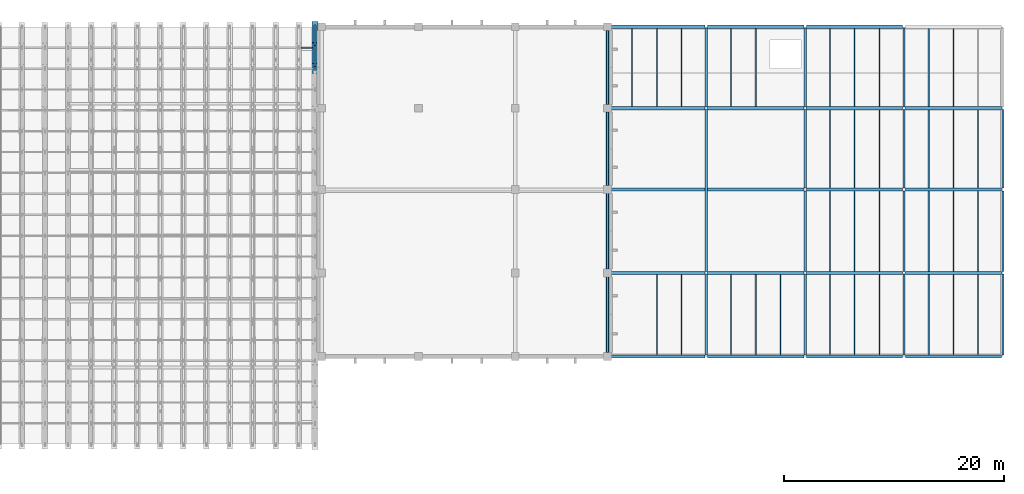
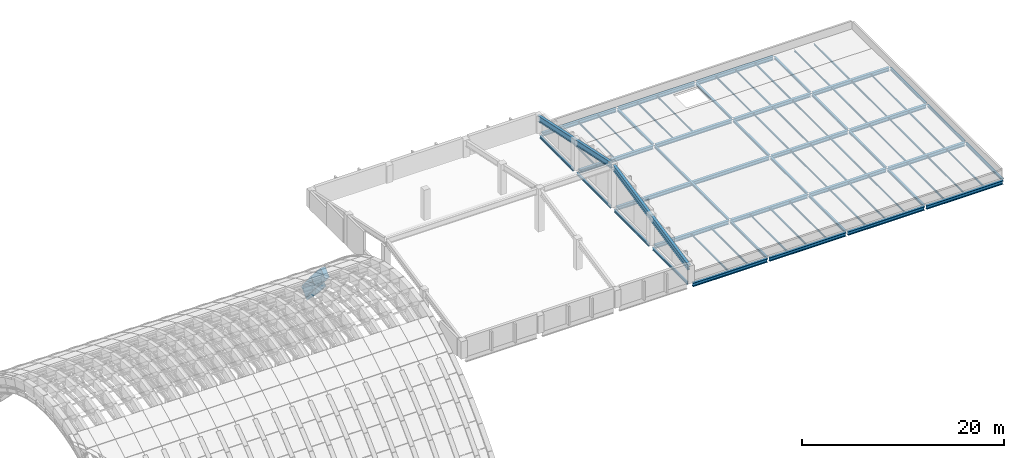
# One storey, part 49 of 67: 75 beams, 1 member.
"""IFC4 building model written with IfcOpenShell, lengths in metres."""

from ifc_helpers import new_model, si_unit, direction, frame, origin, origin_2d, place, context, subcontext, project, spatial, rectangle, hollow_rectangle, i_section, extrude, material, material_profile, profile_set, type_object, element, save


model = new_model("IFC4")

# Units and contexts
model_context = context("Model", 3, precision=1e-05, world=origin(), true_north=direction((0.0, 1.0)))
body_context = subcontext(model_context, "Body", "Model", "MODEL_VIEW")
ifc_project = project(units=[si_unit("LENGTHUNIT", "METRE"), si_unit("AREAUNIT", "SQUARE_METRE"), si_unit("VOLUMEUNIT", "CUBIC_METRE"), si_unit("PLANEANGLEUNIT", "RADIAN"), si_unit("MASSUNIT", "GRAM", prefix="KILO")], contexts=[model_context])

# Site, building, storey
site_placement = place(None, origin())
site = spatial("IfcSite", under=ifc_project, at=site_placement, CompositionType="ELEMENT")
building_placement = place(site_placement, origin())
building = spatial("IfcBuilding", under=site, at=building_placement, Name="Shengluoqiao Park Theatre", CompositionType="ELEMENT")
storey_placement = place(building_placement, frame((0.0, 0.0, 28.60009765625)))
storey = spatial("IfcBuildingStorey", under=building, at=storey_placement, Name="Roof", CompositionType="ELEMENT", Elevation=28.60009765625)

# Beams
ifc_material_1 = material(Name="Concrete C50", Category="concrete")
ifc_material_profile_1 = material_profile(ifc_material_1, rectangle(XDim=0.550048828125, YDim=1.199951171875, at=origin_2d()), Name="RC ARCH 550x1200")
ifc_profile_set_1 = profile_set([ifc_material_profile_1], Name="Concrete C50")
beam_type_1 = type_object("IfcBeamType", Name="STR-BM-AR-5512", PredefinedType="BEAM", material=ifc_profile_set_1)
beam_1_placement = place(storey_placement, frame((85.780029296875, 110.199951171875, -5.484130859375), z_axis=(0.0, 0.663638456789, -0.748053473136), x_axis=(-1.0, 0.0, 0.0)))
element("IfcBeam", 1, at=beam_1_placement, inside=storey, type_object=beam_type_1, Name="Barrel-Shell Arch Rib R21-S19", PredefinedType="BEAM", context=body_context, shape_type="SweptSolid", body=[
    extrude(rectangle(XDim=0.550048828125, YDim=1.199951171875, at=origin_2d()), origin(), (0.0, 0.0, 1.0), 2.86328125),
])
beam_2_placement = place(storey_placement, frame((85.780029296875, 112.10009765625, -7.6259765625), z_axis=(0.0, 0.621631409309, -0.783309894588), x_axis=(-1.0, 0.0, 0.0)))
element("IfcBeam", 2, at=beam_2_placement, inside=storey, type_object=beam_type_1, Name="Barrel-Shell Arch Rib R21-S20", PredefinedType="BEAM", context=body_context, shape_type="SweptSolid", body=[
    extrude(rectangle(XDim=0.550048828125, YDim=1.199951171875, at=origin_2d()), origin(), (0.0, 0.0, 1.0), 3.056396484375),
])
ifc_material_2 = material(Name="Steel Q355", Category="steel")
ifc_material_profile_2 = material_profile(ifc_material_2, i_section(OverallWidth=0.199951171875, OverallDepth=0.2939453125, WebThickness=0.008056640625, FlangeThickness=0.011962890625, FilletRadius=0.01611328125, at=origin_2d()), Name="HM 294x200x8x12")
ifc_profile_set_2 = profile_set([ifc_material_profile_2], Name="Steel Q355")
beam_type_2 = type_object("IfcBeamType", Name="STR-BM-G-HM294", PredefinedType="BEAM", material=ifc_profile_set_2)
beam_3_placement = place(storey_placement, frame((112.39990234375, 84.343994140625, -0.397216796875), z_axis=(0.0, 1.0, 0.0), x_axis=(-1.0, 0.0, 0.0)))
element("IfcBeam", 3, at=beam_3_placement, inside=storey, type_object=beam_type_2, Name="Roof Transverse Girder 02061", PredefinedType="BEAM", context=body_context, shape_type="SweptSolid", body=[
    extrude(i_section(OverallWidth=0.199951171875, OverallDepth=0.2939453125, WebThickness=0.008056640625, FlangeThickness=0.011962890625, FilletRadius=0.01611328125, at=origin_2d()), origin(), (0.0, 0.0, 1.0), 6.912109375),
])
beam_4_placement = place(storey_placement, frame((112.39990234375, 91.944091796875, -0.397216796875), z_axis=(0.0, 1.0, 0.0), x_axis=(-1.0, 0.0, 0.0)))
element("IfcBeam", 4, at=beam_4_placement, inside=storey, type_object=beam_type_2, Name="Roof Transverse Girder 02062", PredefinedType="BEAM", context=body_context, shape_type="SweptSolid", body=[
    extrude(i_section(OverallWidth=0.199951171875, OverallDepth=0.2939453125, WebThickness=0.008056640625, FlangeThickness=0.011962890625, FilletRadius=0.01611328125, at=origin_2d()), origin(), (0.0, 0.0, 1.0), 6.911865234375),
])
beam_5_placement = place(storey_placement, frame((112.39990234375, 99.5439453125, -0.397216796875), z_axis=(0.0, 1.0, 0.0), x_axis=(-1.0, 0.0, 0.0)))
element("IfcBeam", 5, at=beam_5_placement, inside=storey, type_object=beam_type_2, Name="Roof Transverse Girder 02063", PredefinedType="BEAM", context=body_context, shape_type="SweptSolid", body=[
    extrude(i_section(OverallWidth=0.199951171875, OverallDepth=0.2939453125, WebThickness=0.008056640625, FlangeThickness=0.011962890625, FilletRadius=0.01611328125, at=origin_2d()), origin(), (0.0, 0.0, 1.0), 6.712158203125),
])
beam_6_placement = place(storey_placement, frame((112.39990234375, 106.944091796875, -0.397216796875), z_axis=(0.0, 1.0, 0.0), x_axis=(-1.0, 0.0, 0.0)))
element("IfcBeam", 6, at=beam_6_placement, inside=storey, type_object=beam_type_2, Name="Roof Transverse Girder 02064", PredefinedType="BEAM", context=body_context, shape_type="SweptSolid", body=[
    extrude(i_section(OverallWidth=0.199951171875, OverallDepth=0.2939453125, WebThickness=0.008056640625, FlangeThickness=0.011962890625, FilletRadius=0.01611328125, at=origin_2d()), origin(), (0.0, 0.0, 1.0), 6.7119140625),
])
beam_7_placement = place(storey_placement, frame((121.39990234375, 84.118896484375, -0.397216796875), z_axis=(0.0, 1.0, 0.0), x_axis=(-1.0, 0.0, 0.0)))
element("IfcBeam", 7, at=beam_7_placement, inside=storey, type_object=beam_type_2, Name="Roof Transverse Girder 02065", PredefinedType="BEAM", context=body_context, shape_type="SweptSolid", body=[
    extrude(i_section(OverallWidth=0.199951171875, OverallDepth=0.2939453125, WebThickness=0.008056640625, FlangeThickness=0.011962890625, FilletRadius=0.01611328125, at=origin_2d()), origin(), (0.0, 0.0, 1.0), 7.362060546875),
])
beam_8_placement = place(storey_placement, frame((121.39990234375, 91.718994140625, -0.397216796875), z_axis=(0.0, 1.0, 0.0), x_axis=(-1.0, 0.0, 0.0)))
element("IfcBeam", 8, at=beam_8_placement, inside=storey, type_object=beam_type_2, Name="Roof Transverse Girder 02066", PredefinedType="BEAM", context=body_context, shape_type="SweptSolid", body=[
    extrude(i_section(OverallWidth=0.199951171875, OverallDepth=0.2939453125, WebThickness=0.008056640625, FlangeThickness=0.011962890625, FilletRadius=0.01611328125, at=origin_2d()), origin(), (0.0, 0.0, 1.0), 14.761962890625),
])
beam_9_placement = place(storey_placement, frame((121.39990234375, 106.718994140625, -0.397216796875), z_axis=(0.0, 1.0, 0.0), x_axis=(-1.0, 0.0, 0.0)))
element("IfcBeam", 9, at=beam_9_placement, inside=storey, type_object=beam_type_2, Name="Roof Transverse Girder 02067", PredefinedType="BEAM", context=body_context, shape_type="SweptSolid", body=[
    extrude(i_section(OverallWidth=0.199951171875, OverallDepth=0.2939453125, WebThickness=0.008056640625, FlangeThickness=0.011962890625, FilletRadius=0.01611328125, at=origin_2d()), origin(), (0.0, 0.0, 1.0), 7.162109375),
])
for number, where, z_axis, x_axis, name in (
    (10, (130.39990234375, 84.118896484375, -0.397216796875), (0.0, 1.0, 0.0), (-1.0, 0.0, 0.0), "Roof Transverse Girder 02068"),
    (11, (130.39990234375, 91.718994140625, -0.397216796875), (0.0, 1.0, 0.0), (-1.0, 0.0, 0.0), "Roof Transverse Girder 02069"),
):
    element("IfcBeam", number, at=place(storey_placement, frame(where, z_axis=z_axis, x_axis=x_axis)), inside=storey, type_object=beam_type_2, Name=name, PredefinedType="BEAM", context=body_context, shape_type="SweptSolid", body=[
        extrude(i_section(OverallWidth=0.199951171875, OverallDepth=0.2939453125, WebThickness=0.008056640625, FlangeThickness=0.011962890625, FilletRadius=0.01611328125, at=origin_2d()), origin(), (0.0, 0.0, 1.0), 7.362060546875),
    ])
beam_10_placement = place(storey_placement, frame((130.39990234375, 99.319091796875, -0.397216796875), z_axis=(0.0, 1.0, 0.0), x_axis=(-1.0, 0.0, 0.0)))
element("IfcBeam", 12, at=beam_10_placement, inside=storey, type_object=beam_type_2, Name="Roof Transverse Girder 02070", PredefinedType="BEAM", context=body_context, shape_type="SweptSolid", body=[
    extrude(i_section(OverallWidth=0.199951171875, OverallDepth=0.2939453125, WebThickness=0.008056640625, FlangeThickness=0.011962890625, FilletRadius=0.01611328125, at=origin_2d()), origin(), (0.0, 0.0, 1.0), 7.161865234375),
])
beam_11_placement = place(storey_placement, frame((130.39990234375, 106.718994140625, -0.397216796875), z_axis=(0.0, 1.0, 0.0), x_axis=(-1.0, 0.0, 0.0)))
element("IfcBeam", 13, at=beam_11_placement, inside=storey, type_object=beam_type_2, Name="Roof Transverse Girder 02071", PredefinedType="BEAM", context=body_context, shape_type="SweptSolid", body=[
    extrude(i_section(OverallWidth=0.199951171875, OverallDepth=0.2939453125, WebThickness=0.008056640625, FlangeThickness=0.011962890625, FilletRadius=0.01611328125, at=origin_2d()), origin(), (0.0, 0.0, 1.0), 7.162109375),
])
for number, where, z_axis, x_axis, name in (
    (14, (139.39990234375, 84.118896484375, -0.397216796875), (0.0, 1.0, 0.0), (-1.0, 0.0, 0.0), "Roof Transverse Girder 02072"),
    (15, (139.39990234375, 91.718994140625, -0.397216796875), (0.0, 1.0, 0.0), (-1.0, 0.0, 0.0), "Roof Transverse Girder 02073"),
):
    element("IfcBeam", number, at=place(storey_placement, frame(where, z_axis=z_axis, x_axis=x_axis)), inside=storey, type_object=beam_type_2, Name=name, PredefinedType="BEAM", context=body_context, shape_type="SweptSolid", body=[
        extrude(i_section(OverallWidth=0.199951171875, OverallDepth=0.2939453125, WebThickness=0.008056640625, FlangeThickness=0.011962890625, FilletRadius=0.01611328125, at=origin_2d()), origin(), (0.0, 0.0, 1.0), 7.362060546875),
    ])
beam_12_placement = place(storey_placement, frame((139.39990234375, 99.319091796875, -0.397216796875), z_axis=(0.0, 1.0, 0.0), x_axis=(-1.0, 0.0, 0.0)))
element("IfcBeam", 16, at=beam_12_placement, inside=storey, type_object=beam_type_2, Name="Roof Transverse Girder 02074", PredefinedType="BEAM", context=body_context, shape_type="SweptSolid", body=[
    extrude(i_section(OverallWidth=0.199951171875, OverallDepth=0.2939453125, WebThickness=0.008056640625, FlangeThickness=0.011962890625, FilletRadius=0.01611328125, at=origin_2d()), origin(), (0.0, 0.0, 1.0), 7.161865234375),
])
beam_13_placement = place(storey_placement, frame((139.39990234375, 106.718994140625, -0.397216796875), z_axis=(0.0, 1.0, 0.0), x_axis=(-1.0, 0.0, 0.0)))
element("IfcBeam", 17, at=beam_13_placement, inside=storey, type_object=beam_type_2, Name="Roof Transverse Girder 02075", PredefinedType="BEAM", context=body_context, shape_type="SweptSolid", body=[
    extrude(i_section(OverallWidth=0.199951171875, OverallDepth=0.2939453125, WebThickness=0.008056640625, FlangeThickness=0.011962890625, FilletRadius=0.01611328125, at=origin_2d()), origin(), (0.0, 0.0, 1.0), 7.162109375),
])
for number, where, z_axis, x_axis, name in (
    (18, (148.39990234375, 84.118896484375, -0.397216796875), (0.0, 1.0, 0.0), (-1.0, 0.0, 0.0), "Roof Transverse Girder 02076"),
    (19, (148.39990234375, 91.718994140625, -0.397216796875), (0.0, 1.0, 0.0), (-1.0, 0.0, 0.0), "Roof Transverse Girder 02077"),
):
    element("IfcBeam", number, at=place(storey_placement, frame(where, z_axis=z_axis, x_axis=x_axis)), inside=storey, type_object=beam_type_2, Name=name, PredefinedType="BEAM", context=body_context, shape_type="SweptSolid", body=[
        extrude(i_section(OverallWidth=0.199951171875, OverallDepth=0.2939453125, WebThickness=0.008056640625, FlangeThickness=0.011962890625, FilletRadius=0.01611328125, at=origin_2d()), origin(), (0.0, 0.0, 1.0), 7.362060546875),
    ])
beam_14_placement = place(storey_placement, frame((148.39990234375, 99.319091796875, -0.397216796875), z_axis=(0.0, 1.0, 0.0), x_axis=(-1.0, 0.0, 0.0)))
element("IfcBeam", 20, at=beam_14_placement, inside=storey, type_object=beam_type_2, Name="Roof Transverse Girder 02078", PredefinedType="BEAM", context=body_context, shape_type="SweptSolid", body=[
    extrude(i_section(OverallWidth=0.199951171875, OverallDepth=0.2939453125, WebThickness=0.008056640625, FlangeThickness=0.011962890625, FilletRadius=0.01611328125, at=origin_2d()), origin(), (0.0, 0.0, 1.0), 7.161865234375),
])
ifc_material_profile_3 = material_profile(ifc_material_2, i_section(OverallWidth=0.300048828125, OverallDepth=0.43994140625, WebThickness=0.010986328125, FlangeThickness=0.01806640625, FilletRadius=0.02001953125, at=origin_2d()), Name="HM 440x300x11x18")
ifc_profile_set_3 = profile_set([ifc_material_profile_3], Name="Steel Q355")
beam_type_3 = type_object("IfcBeamType", Name="STR-BM-G-HM440", PredefinedType="BEAM", material=ifc_profile_set_3)
beam_15_placement = place(storey_placement, frame((112.743896484375, 84.0, -0.47021484375), z_axis=(1.0, 0.0, 0.0), x_axis=(0.0, 1.0, 0.0)))
element("IfcBeam", 21, at=beam_15_placement, inside=storey, type_object=beam_type_3, Name="Roof Primary Girder 02042", PredefinedType="BEAM", context=body_context, shape_type="SweptSolid", body=[
    extrude(i_section(OverallWidth=0.300048828125, OverallDepth=0.43994140625, WebThickness=0.010986328125, FlangeThickness=0.01806640625, FilletRadius=0.02001953125, at=origin_2d()), origin(), (0.0, 0.0, 1.0), 8.537109375),
])
for number, where, z_axis, x_axis, name in (
    (22, (121.51904296875, 84.0, -0.47021484375), (1.0, 0.0, 0.0), (0.0, 1.0, 0.0), "Roof Primary Girder 02043"),
    (23, (130.51904296875, 84.0, -0.47021484375), (1.0, 0.0, 0.0), (0.0, 1.0, 0.0), "Roof Primary Girder 02044"),
    (24, (139.51904296875, 84.0, -0.47021484375), (1.0, 0.0, 0.0), (0.0, 1.0, 0.0), "Roof Primary Girder 02045"),
):
    element("IfcBeam", number, at=place(storey_placement, frame(where, z_axis=z_axis, x_axis=x_axis)), inside=storey, type_object=beam_type_3, Name=name, PredefinedType="BEAM", context=body_context, shape_type="SweptSolid", body=[
        extrude(i_section(OverallWidth=0.300048828125, OverallDepth=0.43994140625, WebThickness=0.010986328125, FlangeThickness=0.01806640625, FilletRadius=0.02001953125, at=origin_2d()), origin(), (0.0, 0.0, 1.0), 8.761962890625),
    ])
beam_16_placement = place(storey_placement, frame((112.743896484375, 91.60009765625, -0.47021484375), z_axis=(1.0, 0.0, 0.0), x_axis=(0.0, 1.0, 0.0)))
element("IfcBeam", 25, at=beam_16_placement, inside=storey, type_object=beam_type_3, Name="Roof Primary Girder 02046", PredefinedType="BEAM", context=body_context, shape_type="SweptSolid", body=[
    extrude(i_section(OverallWidth=0.300048828125, OverallDepth=0.43994140625, WebThickness=0.010986328125, FlangeThickness=0.01806640625, FilletRadius=0.02001953125, at=origin_2d()), origin(), (0.0, 0.0, 1.0), 8.537109375),
])
for number, where, z_axis, x_axis, name in (
    (26, (121.51904296875, 91.60009765625, -0.47021484375), (1.0, 0.0, 0.0), (0.0, 1.0, 0.0), "Roof Primary Girder 02047"),
    (27, (130.51904296875, 91.60009765625, -0.47021484375), (1.0, 0.0, 0.0), (0.0, 1.0, 0.0), "Roof Primary Girder 02048"),
    (28, (139.51904296875, 91.60009765625, -0.47021484375), (1.0, 0.0, 0.0), (0.0, 1.0, 0.0), "Roof Primary Girder 02049"),
):
    element("IfcBeam", number, at=place(storey_placement, frame(where, z_axis=z_axis, x_axis=x_axis)), inside=storey, type_object=beam_type_3, Name=name, PredefinedType="BEAM", context=body_context, shape_type="SweptSolid", body=[
        extrude(i_section(OverallWidth=0.300048828125, OverallDepth=0.43994140625, WebThickness=0.010986328125, FlangeThickness=0.01806640625, FilletRadius=0.02001953125, at=origin_2d()), origin(), (0.0, 0.0, 1.0), 8.761962890625),
    ])
beam_17_placement = place(storey_placement, frame((112.743896484375, 99.199951171875, -0.47021484375), z_axis=(1.0, 0.0, 0.0), x_axis=(0.0, 1.0, 0.0)))
element("IfcBeam", 29, at=beam_17_placement, inside=storey, type_object=beam_type_3, Name="Roof Primary Girder 02050", PredefinedType="BEAM", context=body_context, shape_type="SweptSolid", body=[
    extrude(i_section(OverallWidth=0.300048828125, OverallDepth=0.43994140625, WebThickness=0.010986328125, FlangeThickness=0.01806640625, FilletRadius=0.02001953125, at=origin_2d()), origin(), (0.0, 0.0, 1.0), 17.537109375),
])
for number, where, z_axis, x_axis, name in (
    (30, (130.51904296875, 99.199951171875, -0.47021484375), (1.0, 0.0, 0.0), (0.0, 1.0, 0.0), "Roof Primary Girder 02051"),
    (31, (139.51904296875, 99.199951171875, -0.47021484375), (1.0, 0.0, 0.0), (0.0, 1.0, 0.0), "Roof Primary Girder 02052"),
):
    element("IfcBeam", number, at=place(storey_placement, frame(where, z_axis=z_axis, x_axis=x_axis)), inside=storey, type_object=beam_type_3, Name=name, PredefinedType="BEAM", context=body_context, shape_type="SweptSolid", body=[
        extrude(i_section(OverallWidth=0.300048828125, OverallDepth=0.43994140625, WebThickness=0.010986328125, FlangeThickness=0.01806640625, FilletRadius=0.02001953125, at=origin_2d()), origin(), (0.0, 0.0, 1.0), 8.761962890625),
    ])
beam_18_placement = place(storey_placement, frame((112.743896484375, 106.60009765625, -0.47021484375), z_axis=(1.0, 0.0, 0.0), x_axis=(0.0, 1.0, 0.0)))
element("IfcBeam", 32, at=beam_18_placement, inside=storey, type_object=beam_type_3, Name="Roof Primary Girder 02053", PredefinedType="BEAM", context=body_context, shape_type="SweptSolid", body=[
    extrude(i_section(OverallWidth=0.300048828125, OverallDepth=0.43994140625, WebThickness=0.010986328125, FlangeThickness=0.01806640625, FilletRadius=0.02001953125, at=origin_2d()), origin(), (0.0, 0.0, 1.0), 8.537109375),
])
for number, where, z_axis, x_axis, name in (
    (33, (121.51904296875, 106.60009765625, -0.47021484375), (1.0, 0.0, 0.0), (0.0, 1.0, 0.0), "Roof Primary Girder 02054"),
    (34, (130.51904296875, 106.60009765625, -0.47021484375), (1.0, 0.0, 0.0), (0.0, 1.0, 0.0), "Roof Primary Girder 02055"),
    (35, (139.51904296875, 106.60009765625, -0.47021484375), (1.0, 0.0, 0.0), (0.0, 1.0, 0.0), "Roof Primary Girder 02056"),
):
    element("IfcBeam", number, at=place(storey_placement, frame(where, z_axis=z_axis, x_axis=x_axis)), inside=storey, type_object=beam_type_3, Name=name, PredefinedType="BEAM", context=body_context, shape_type="SweptSolid", body=[
        extrude(i_section(OverallWidth=0.300048828125, OverallDepth=0.43994140625, WebThickness=0.010986328125, FlangeThickness=0.01806640625, FilletRadius=0.02001953125, at=origin_2d()), origin(), (0.0, 0.0, 1.0), 8.761962890625),
    ])
beam_19_placement = place(storey_placement, frame((112.743896484375, 114.0, -0.47021484375), z_axis=(1.0, 0.0, 0.0), x_axis=(0.0, 1.0, 0.0)))
element("IfcBeam", 36, at=beam_19_placement, inside=storey, type_object=beam_type_3, Name="Roof Primary Girder 02057", PredefinedType="BEAM", context=body_context, shape_type="SweptSolid", body=[
    extrude(i_section(OverallWidth=0.300048828125, OverallDepth=0.43994140625, WebThickness=0.010986328125, FlangeThickness=0.01806640625, FilletRadius=0.02001953125, at=origin_2d()), origin(), (0.0, 0.0, 1.0), 8.537109375),
])
for number, where, z_axis, x_axis, name in (
    (37, (121.51904296875, 114.0, -0.47021484375), (1.0, 0.0, 0.0), (0.0, 1.0, 0.0), "Roof Primary Girder 02058"),
    (38, (130.51904296875, 114.0, -0.47021484375), (1.0, 0.0, 0.0), (0.0, 1.0, 0.0), "Roof Primary Girder 02059"),
):
    element("IfcBeam", number, at=place(storey_placement, frame(where, z_axis=z_axis, x_axis=x_axis)), inside=storey, type_object=beam_type_3, Name=name, PredefinedType="BEAM", context=body_context, shape_type="SweptSolid", body=[
        extrude(i_section(OverallWidth=0.300048828125, OverallDepth=0.43994140625, WebThickness=0.010986328125, FlangeThickness=0.01806640625, FilletRadius=0.02001953125, at=origin_2d()), origin(), (0.0, 0.0, 1.0), 8.761962890625),
    ])
ifc_material_3 = material(Name="Steel Q390", Category="steel")
ifc_material_profile_4 = material_profile(ifc_material_3, i_section(OverallWidth=0.300048828125, OverallDepth=0.699951171875, WebThickness=0.012939453125, FlangeThickness=0.02392578125, FilletRadius=0.02392578125, at=origin_2d()), Name="HN 700x300x13x24")
ifc_profile_set_4 = profile_set([ifc_material_profile_4], Name="Steel Q390")
beam_type_4 = type_object("IfcBeamType", Name="STR-BM-G-HN700", PredefinedType="BEAM", material=ifc_profile_set_4)
beam_20_placement = place(storey_placement, frame((112.39990234375, 84.050048828125, 1.679931640625), z_axis=(0.0, 0.979047182898, 0.203633527836), x_axis=(-1.0, 0.0, 0.0)))
element("IfcBeam", 39, at=beam_20_placement, inside=storey, type_object=beam_type_4, Name="Fly Tower South Roof Rafter X112", PredefinedType="BEAM", context=body_context, shape_type="SweptSolid", body=[
    extrude(i_section(OverallWidth=0.300048828125, OverallDepth=0.699951171875, WebThickness=0.012939453125, FlangeThickness=0.02392578125, FilletRadius=0.02392578125, at=origin_2d()), origin(), (0.0, 0.0, 1.0), 15.321044921875),
])
beam_21_placement = place(storey_placement, frame((112.39990234375, 99.35009765625, 4.7998046875), z_axis=(0.0, 0.977921194151, -0.20897401281), x_axis=(-1.0, 0.0, 0.0)))
element("IfcBeam", 40, at=beam_21_placement, inside=storey, type_object=beam_type_4, Name="Fly Tower North Roof Rafter X112", PredefinedType="BEAM", context=body_context, shape_type="SweptSolid", body=[
    extrude(i_section(OverallWidth=0.300048828125, OverallDepth=0.699951171875, WebThickness=0.012939453125, FlangeThickness=0.02392578125, FilletRadius=0.02392578125, at=origin_2d()), origin(), (0.0, 0.0, 1.0), 14.929443359375),
])
ifc_material_profile_5 = material_profile(ifc_material_2, i_section(OverallWidth=0.10009765625, OverallDepth=0.199951171875, WebThickness=0.005615234375, FlangeThickness=0.008056640625, FilletRadius=0.008056640625, at=origin_2d()), Name="HN 200x100x5.5x8")
ifc_profile_set_5 = profile_set([ifc_material_profile_5], Name="Steel Q355")
beam_type_5 = type_object("IfcBeamType", Name="STR-BM-J-HN200", PredefinedType="JOIST", material=ifc_profile_set_5)
for number, where, z_axis, x_axis, name in (
    (41, (116.89990234375, 84.14501953125, -0.35009765625), (0.0, 1.0, 0.0), (-1.0, 0.0, 0.0), "Roof Composite Joist 02080"),
    (42, (119.14990234375, 84.14501953125, -0.35009765625), (0.0, 1.0, 0.0), (-1.0, 0.0, 0.0), "Roof Composite Joist 02081"),
):
    element("IfcBeam", number, at=place(storey_placement, frame(where, z_axis=z_axis, x_axis=x_axis)), inside=storey, type_object=beam_type_5, Name=name, PredefinedType="JOIST", context=body_context, shape_type="SweptSolid", body=[
        extrude(i_section(OverallWidth=0.10009765625, OverallDepth=0.199951171875, WebThickness=0.005615234375, FlangeThickness=0.008056640625, FilletRadius=0.008056640625, at=origin_2d()), origin(), (0.0, 0.0, 1.0), 7.31005859375),
    ])
for number, where, z_axis, x_axis, name in (
    (43, (114.64990234375, 106.7451171875, -0.35009765625), (0.0, 1.0, 0.0), (-1.0, 0.0, 0.0), "Roof Composite Joist 02082"),
    (44, (116.89990234375, 106.7451171875, -0.35009765625), (0.0, 1.0, 0.0), (-1.0, 0.0, 0.0), "Roof Composite Joist 02083"),
    (45, (119.14990234375, 106.7451171875, -0.35009765625), (0.0, 1.0, 0.0), (-1.0, 0.0, 0.0), "Roof Composite Joist 02084"),
):
    element("IfcBeam", number, at=place(storey_placement, frame(where, z_axis=z_axis, x_axis=x_axis)), inside=storey, type_object=beam_type_5, Name=name, PredefinedType="JOIST", context=body_context, shape_type="SweptSolid", body=[
        extrude(i_section(OverallWidth=0.10009765625, OverallDepth=0.199951171875, WebThickness=0.005615234375, FlangeThickness=0.008056640625, FilletRadius=0.008056640625, at=origin_2d()), origin(), (0.0, 0.0, 1.0), 7.10986328125),
    ])
for number, where, z_axis, x_axis, name in (
    (46, (123.64990234375, 84.14501953125, -0.35009765625), (0.0, 1.0, 0.0), (-1.0, 0.0, 0.0), "Roof Composite Joist 02085"),
    (47, (125.89990234375, 84.14501953125, -0.35009765625), (0.0, 1.0, 0.0), (-1.0, 0.0, 0.0), "Roof Composite Joist 02086"),
    (48, (128.14990234375, 84.14501953125, -0.35009765625), (0.0, 1.0, 0.0), (-1.0, 0.0, 0.0), "Roof Composite Joist 02087"),
):
    element("IfcBeam", number, at=place(storey_placement, frame(where, z_axis=z_axis, x_axis=x_axis)), inside=storey, type_object=beam_type_5, Name=name, PredefinedType="JOIST", context=body_context, shape_type="SweptSolid", body=[
        extrude(i_section(OverallWidth=0.10009765625, OverallDepth=0.199951171875, WebThickness=0.005615234375, FlangeThickness=0.008056640625, FilletRadius=0.008056640625, at=origin_2d()), origin(), (0.0, 0.0, 1.0), 7.31005859375),
    ])
for number, where, z_axis, x_axis, name in (
    (49, (123.64990234375, 106.7451171875, -0.35009765625), (0.0, 1.0, 0.0), (-1.0, 0.0, 0.0), "Roof Composite Joist 02088"),
    (50, (125.89990234375, 106.7451171875, -0.35009765625), (0.0, 1.0, 0.0), (-1.0, 0.0, 0.0), "Roof Composite Joist 02089"),
):
    element("IfcBeam", number, at=place(storey_placement, frame(where, z_axis=z_axis, x_axis=x_axis)), inside=storey, type_object=beam_type_5, Name=name, PredefinedType="JOIST", context=body_context, shape_type="SweptSolid", body=[
        extrude(i_section(OverallWidth=0.10009765625, OverallDepth=0.199951171875, WebThickness=0.005615234375, FlangeThickness=0.008056640625, FilletRadius=0.008056640625, at=origin_2d()), origin(), (0.0, 0.0, 1.0), 7.10986328125),
    ])
for number, where, z_axis, x_axis, name in (
    (51, (132.64990234375, 84.14501953125, -0.35009765625), (0.0, 1.0, 0.0), (-1.0, 0.0, 0.0), "Roof Composite Joist 02090"),
    (52, (134.89990234375, 84.14501953125, -0.35009765625), (0.0, 1.0, 0.0), (-1.0, 0.0, 0.0), "Roof Composite Joist 02091"),
    (53, (137.14990234375, 84.14501953125, -0.35009765625), (0.0, 1.0, 0.0), (-1.0, 0.0, 0.0), "Roof Composite Joist 02092"),
):
    element("IfcBeam", number, at=place(storey_placement, frame(where, z_axis=z_axis, x_axis=x_axis)), inside=storey, type_object=beam_type_5, Name=name, PredefinedType="JOIST", context=body_context, shape_type="SweptSolid", body=[
        extrude(i_section(OverallWidth=0.10009765625, OverallDepth=0.199951171875, WebThickness=0.005615234375, FlangeThickness=0.008056640625, FilletRadius=0.008056640625, at=origin_2d()), origin(), (0.0, 0.0, 1.0), 7.31005859375),
    ])
for number, where, z_axis, x_axis, name in (
    (54, (132.64990234375, 91.7451171875, -0.35009765625), (0.0, 1.0, 0.0), (-1.0, 0.0, 0.0), "Roof Composite Joist 02093"),
    (55, (134.89990234375, 91.7451171875, -0.35009765625), (0.0, 1.0, 0.0), (-1.0, 0.0, 0.0), "Roof Composite Joist 02094"),
    (56, (137.14990234375, 91.7451171875, -0.35009765625), (0.0, 1.0, 0.0), (-1.0, 0.0, 0.0), "Roof Composite Joist 02095"),
):
    element("IfcBeam", number, at=place(storey_placement, frame(where, z_axis=z_axis, x_axis=x_axis)), inside=storey, type_object=beam_type_5, Name=name, PredefinedType="JOIST", context=body_context, shape_type="SweptSolid", body=[
        extrude(i_section(OverallWidth=0.10009765625, OverallDepth=0.199951171875, WebThickness=0.005615234375, FlangeThickness=0.008056640625, FilletRadius=0.008056640625, at=origin_2d()), origin(), (0.0, 0.0, 1.0), 7.309814453125),
    ])
for number, where, z_axis, x_axis, name in (
    (57, (132.64990234375, 99.344970703125, -0.35009765625), (0.0, 1.0, 0.0), (-1.0, 0.0, 0.0), "Roof Composite Joist 02096"),
    (58, (134.89990234375, 99.344970703125, -0.35009765625), (0.0, 1.0, 0.0), (-1.0, 0.0, 0.0), "Roof Composite Joist 02097"),
    (59, (137.14990234375, 99.344970703125, -0.35009765625), (0.0, 1.0, 0.0), (-1.0, 0.0, 0.0), "Roof Composite Joist 02098"),
):
    element("IfcBeam", number, at=place(storey_placement, frame(where, z_axis=z_axis, x_axis=x_axis)), inside=storey, type_object=beam_type_5, Name=name, PredefinedType="JOIST", context=body_context, shape_type="SweptSolid", body=[
        extrude(i_section(OverallWidth=0.10009765625, OverallDepth=0.199951171875, WebThickness=0.005615234375, FlangeThickness=0.008056640625, FilletRadius=0.008056640625, at=origin_2d()), origin(), (0.0, 0.0, 1.0), 7.110107421875),
    ])
for number, where, z_axis, x_axis, name in (
    (60, (132.64990234375, 106.7451171875, -0.35009765625), (0.0, 1.0, 0.0), (-1.0, 0.0, 0.0), "Roof Composite Joist 02099"),
    (61, (134.89990234375, 106.7451171875, -0.35009765625), (0.0, 1.0, 0.0), (-1.0, 0.0, 0.0), "Roof Composite Joist 02100"),
    (62, (137.14990234375, 106.7451171875, -0.35009765625), (0.0, 1.0, 0.0), (-1.0, 0.0, 0.0), "Roof Composite Joist 02101"),
):
    element("IfcBeam", number, at=place(storey_placement, frame(where, z_axis=z_axis, x_axis=x_axis)), inside=storey, type_object=beam_type_5, Name=name, PredefinedType="JOIST", context=body_context, shape_type="SweptSolid", body=[
        extrude(i_section(OverallWidth=0.10009765625, OverallDepth=0.199951171875, WebThickness=0.005615234375, FlangeThickness=0.008056640625, FilletRadius=0.008056640625, at=origin_2d()), origin(), (0.0, 0.0, 1.0), 7.10986328125),
    ])
for number, where, z_axis, x_axis, name in (
    (63, (141.64990234375, 84.14501953125, -0.35009765625), (0.0, 1.0, 0.0), (-1.0, 0.0, 0.0), "Roof Composite Joist 02102"),
    (64, (143.89990234375, 84.14501953125, -0.35009765625), (0.0, 1.0, 0.0), (-1.0, 0.0, 0.0), "Roof Composite Joist 02103"),
    (65, (146.14990234375, 84.14501953125, -0.35009765625), (0.0, 1.0, 0.0), (-1.0, 0.0, 0.0), "Roof Composite Joist 02104"),
):
    element("IfcBeam", number, at=place(storey_placement, frame(where, z_axis=z_axis, x_axis=x_axis)), inside=storey, type_object=beam_type_5, Name=name, PredefinedType="JOIST", context=body_context, shape_type="SweptSolid", body=[
        extrude(i_section(OverallWidth=0.10009765625, OverallDepth=0.199951171875, WebThickness=0.005615234375, FlangeThickness=0.008056640625, FilletRadius=0.008056640625, at=origin_2d()), origin(), (0.0, 0.0, 1.0), 7.31005859375),
    ])
for number, where, z_axis, x_axis, name in (
    (66, (141.64990234375, 91.7451171875, -0.35009765625), (0.0, 1.0, 0.0), (-1.0, 0.0, 0.0), "Roof Composite Joist 02105"),
    (67, (143.89990234375, 91.7451171875, -0.35009765625), (0.0, 1.0, 0.0), (-1.0, 0.0, 0.0), "Roof Composite Joist 02106"),
    (68, (146.14990234375, 91.7451171875, -0.35009765625), (0.0, 1.0, 0.0), (-1.0, 0.0, 0.0), "Roof Composite Joist 02107"),
):
    element("IfcBeam", number, at=place(storey_placement, frame(where, z_axis=z_axis, x_axis=x_axis)), inside=storey, type_object=beam_type_5, Name=name, PredefinedType="JOIST", context=body_context, shape_type="SweptSolid", body=[
        extrude(i_section(OverallWidth=0.10009765625, OverallDepth=0.199951171875, WebThickness=0.005615234375, FlangeThickness=0.008056640625, FilletRadius=0.008056640625, at=origin_2d()), origin(), (0.0, 0.0, 1.0), 7.309814453125),
    ])
for number, where, z_axis, x_axis, name in (
    (69, (141.64990234375, 99.344970703125, -0.35009765625), (0.0, 1.0, 0.0), (-1.0, 0.0, 0.0), "Roof Composite Joist 02108"),
    (70, (143.89990234375, 99.344970703125, -0.35009765625), (0.0, 1.0, 0.0), (-1.0, 0.0, 0.0), "Roof Composite Joist 02109"),
    (71, (146.14990234375, 99.344970703125, -0.35009765625), (0.0, 1.0, 0.0), (-1.0, 0.0, 0.0), "Roof Composite Joist 02110"),
):
    element("IfcBeam", number, at=place(storey_placement, frame(where, z_axis=z_axis, x_axis=x_axis)), inside=storey, type_object=beam_type_5, Name=name, PredefinedType="JOIST", context=body_context, shape_type="SweptSolid", body=[
        extrude(i_section(OverallWidth=0.10009765625, OverallDepth=0.199951171875, WebThickness=0.005615234375, FlangeThickness=0.008056640625, FilletRadius=0.008056640625, at=origin_2d()), origin(), (0.0, 0.0, 1.0), 7.110107421875),
    ])
for number, where, z_axis, x_axis, name in (
    (72, (141.64990234375, 106.7451171875, -0.35009765625), (0.0, 1.0, 0.0), (-1.0, 0.0, 0.0), "Roof Composite Joist 02111"),
    (73, (143.89990234375, 106.7451171875, -0.35009765625), (0.0, 1.0, 0.0), (-1.0, 0.0, 0.0), "Roof Composite Joist 02112"),
):
    element("IfcBeam", number, at=place(storey_placement, frame(where, z_axis=z_axis, x_axis=x_axis)), inside=storey, type_object=beam_type_5, Name=name, PredefinedType="JOIST", context=body_context, shape_type="SweptSolid", body=[
        extrude(i_section(OverallWidth=0.10009765625, OverallDepth=0.199951171875, WebThickness=0.005615234375, FlangeThickness=0.008056640625, FilletRadius=0.008056640625, at=origin_2d()), origin(), (0.0, 0.0, 1.0), 7.10986328125),
    ])
ifc_material_profile_6 = material_profile(ifc_material_2, i_section(OverallWidth=0.199951171875, OverallDepth=0.5, WebThickness=0.010009765625, FlangeThickness=0.01611328125, FilletRadius=0.01806640625, at=origin_2d()), Name="HN 500x200x10x16")
ifc_profile_set_6 = profile_set([ifc_material_profile_6], Name="Steel Q355")
beam_type_6 = type_object("IfcBeamType", Name="STR-BM-J-HN500", PredefinedType="JOIST", material=ifc_profile_set_6)
beam_22_placement = place(storey_placement, frame((85.780029296875, 110.199951171875, -6.843994140625), z_axis=(0.0, 0.663596128385, -0.748091022799), x_axis=(-1.0, 0.0, 0.0)))
element("IfcBeam", 74, at=beam_22_placement, inside=storey, type_object=beam_type_6, Name="Barrel-Shell Lower Arch Chord R21-S19", PredefinedType="JOIST", context=body_context, shape_type="SweptSolid", body=[
    extrude(i_section(OverallWidth=0.199951171875, OverallDepth=0.5, WebThickness=0.010009765625, FlangeThickness=0.01611328125, FilletRadius=0.01806640625, at=origin_2d()), origin(), (0.0, 0.0, 1.0), 2.863525390625),
])
beam_23_placement = place(storey_placement, frame((85.780029296875, 112.10009765625, -8.986083984375), z_axis=(0.0, 0.708197993403, -0.706013882398), x_axis=(-1.0, 0.0, 0.0)))
element("IfcBeam", 75, at=beam_23_placement, inside=storey, type_object=beam_type_6, Name="Barrel-Shell Lower Arch Chord R21-S20", PredefinedType="JOIST", context=body_context, shape_type="SweptSolid", body=[
    extrude(i_section(OverallWidth=0.199951171875, OverallDepth=0.5, WebThickness=0.010009765625, FlangeThickness=0.01611328125, FilletRadius=0.01806640625, at=origin_2d()), origin(), (0.0, 0.0, 1.0), 2.6826171875),
])

# Member
ifc_material_profile_7 = material_profile(ifc_material_2, hollow_rectangle(XDim=0.139892578125, YDim=0.219970703125, WallThickness=0.010009765625, InnerFilletRadius=0.010009765625, OuterFilletRadius=0.02001953125, at=origin_2d()), Name="RHS 220x140x10")
ifc_profile_set_7 = profile_set([ifc_material_profile_7], Name="Steel Q355")
member_type = type_object("IfcMemberType", Name="STR-MEM-PU-R220", PredefinedType="PURLIN", material=ifc_profile_set_7)
member_placement = place(storey_placement, frame((84.52001953125, 112.10009765625, -7.76611328125), z_axis=(1.0, 0.0, 0.0), x_axis=(0.0, 1.0, 0.0)))
element("IfcMember", 76, at=member_placement, inside=storey, type_object=member_type, Name="Shell Longitudinal Purlin 0380", PredefinedType="PURLIN", context=body_context, shape_type="SweptSolid", body=[
    extrude(hollow_rectangle(XDim=0.139892578125, YDim=0.219970703125, WallThickness=0.010009765625, InnerFilletRadius=0.010009765625, OuterFilletRadius=0.02001953125, at=origin_2d()), origin(), (0.0, 0.0, 1.0), 1.0400390625),
])

save(model, "model.ifc")
